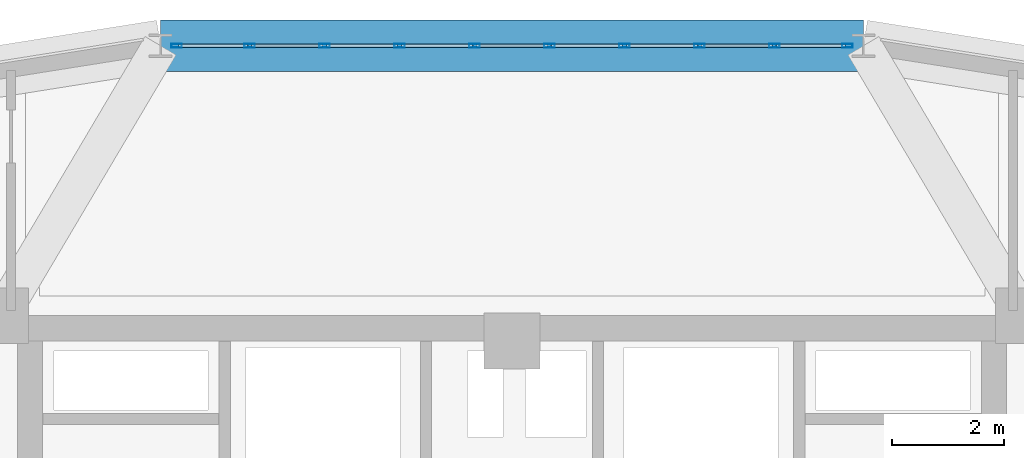
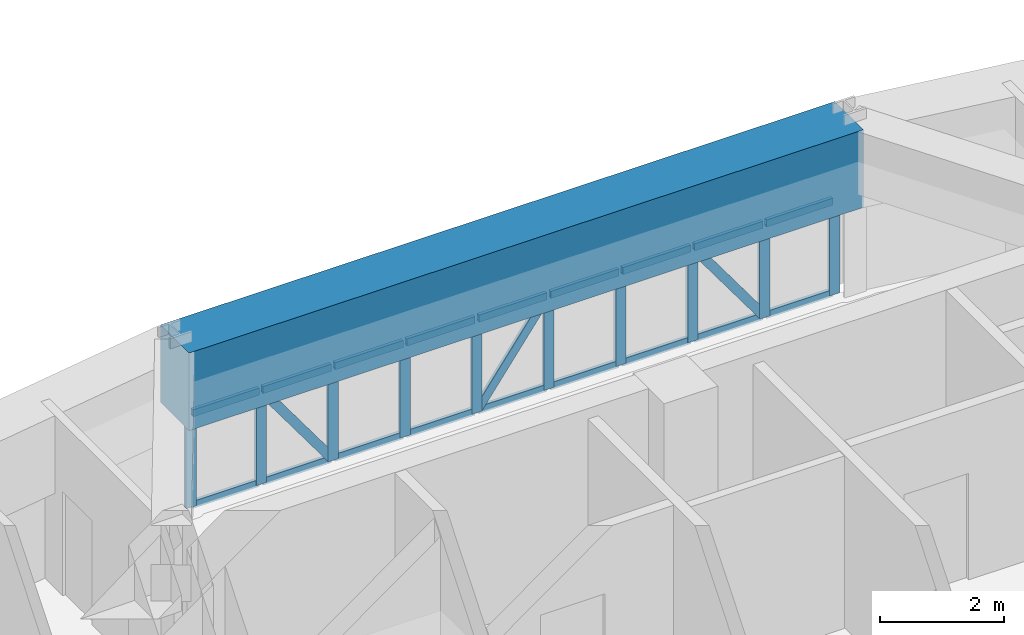
# One storey, part 8 of 13: 31 members, 1 beam, 1 element without a shape of its own.
"""IFC4 building model written with IfcOpenShell, lengths in metres."""

from ifc_helpers import new_model, si_unit, derived_unit, direction, frame, origin, origin_2d, place, context, subcontext, project, spatial, rectangle, hollow_rectangle, extrude, source, transform, mapped, material, layer, layer_set, material_profile, profile_set, type_object, element, aggregate, save


model = new_model("IFC4")

# Units and contexts
model_context = context("Model", 3, precision=1e-05, world=origin(), true_north=direction((0.0, 1.0)))
body_context = subcontext(model_context, "Body", "Model", "MODEL_VIEW")
ifc_project = project(units=[si_unit("LENGTHUNIT", "METRE"), si_unit("AREAUNIT", "SQUARE_METRE"), si_unit("VOLUMEUNIT", "CUBIC_METRE"), si_unit("PLANEANGLEUNIT", "RADIAN"), si_unit("MASSUNIT", "GRAM", prefix="KILO"), derived_unit("THERMALTRANSMITTANCEUNIT", [(si_unit("POWERUNIT", "WATT"), 1), (si_unit("LENGTHUNIT", "METRE"), -2), (si_unit("THERMODYNAMICTEMPERATUREUNIT", "KELVIN"), -1)])], contexts=[model_context])

# Site, building, storey
site_placement = place(None, origin())
site = spatial("IfcSite", under=ifc_project, at=site_placement, CompositionType="ELEMENT")
building_placement = place(site_placement, origin())
building = spatial("IfcBuilding", under=site, at=building_placement, Name="Korsvarv Bourse and Concert Hall", CompositionType="ELEMENT")
storey_placement = place(building_placement, frame((0.0, 0.0, 183.0)))
storey = spatial("IfcBuildingStorey", under=building, at=storey_placement, Name="L47", CompositionType="ELEMENT", Elevation=183.0)

# Beam
ifc_material_1 = material(Name="Concrete C50/60", Category="concrete")
ifc_material_profile_1 = material_profile(ifc_material_1, rectangle(XDim=0.919921875, YDim=1.530029296875, at=origin_2d()), Name="RC-BM 920x1530")
ifc_profile_set_1 = profile_set([ifc_material_profile_1], Name="Concrete C50/60")
beam_type = type_object("IfcBeamType", Name="BM-TR-154", PredefinedType="BEAM", material=ifc_profile_set_1)
shared_shape_1 = source(origin(), body_context, "Body", "SweptSolid", [
    extrude(rectangle(XDim=0.919921875, YDim=1.530029296875, at=origin_2d()), origin(), (0.0, 0.0, 1.0), 12.57861328125),
])
beam_placement = place(storey_placement, frame((42.289306640625, 52.082275390625, 2.635009765625), z_axis=(-1.0, 0.0, 0.0), x_axis=(0.0, -1.0, 0.0)))
element("IfcBeam", 1, at=beam_placement, inside=storey, type_object=beam_type, Name="L47 beam B-TR6", PredefinedType="BEAM", context=body_context, shape_type="MappedRepresentation", body=[
    mapped(shared_shape_1, transform((0.0, 0.0, 0.0), scale=1.0)),
])

# Curtain wall, members
ifc_material_2 = material(Name="Anodised aluminium and triple low-E glazing", Category="glass")
ifc_layer = layer(ifc_material_2, 0.199951171875)
ifc_layer_set = layer_set([ifc_layer], Name="Anodised aluminium and triple low-E glazing")
curtain_wall_type = type_object("IfcCurtainWallType", Name="CW-SYS-3", PredefinedType="NOTDEFINED", material=ifc_layer_set)
curtain_wall_placement = place(storey_placement, origin())
curtain_wall = element("IfcCurtainWall", 2, at=curtain_wall_placement, inside=storey, type_object=curtain_wall_type, Name="L47 CW3 curtain wall CW-L47-F03", PredefinedType="NOTDEFINED")
ifc_material_3 = material(Name="Extruded aluminium EN AW-6063 T66", Category="aluminium")
ifc_material_profile_2 = material_profile(ifc_material_3, hollow_rectangle(XDim=0.070068359375, YDim=0.18994140625, WallThickness=0.0048828125, at=origin_2d()), Name="ALU-M 70x190")
ifc_profile_set_2 = profile_set([ifc_material_profile_2], Name="Extruded aluminium EN AW-6063 T66")
member_type_1 = type_object("IfcMemberType", Name="CWM-190", PredefinedType="MULLION", material=ifc_profile_set_2)
shared_shape_2 = source(origin(), body_context, "Body", "SweptSolid", [
    extrude(hollow_rectangle(XDim=0.070068359375, YDim=0.18994140625, WallThickness=0.0048828125, at=origin_2d()), origin(), (0.0, 0.0, 1.0), 1.8701171875),
])
member_1_placement = place(storey_placement, frame((42.001220703125, 52.082275390625, 0.0), z_axis=(0.0, 0.0, 1.0), x_axis=(0.0, -1.0, 0.0)))
member_1 = element("IfcMember", 3, at=member_1_placement, type_object=member_type_1, Name="CW3 mullion 1", PredefinedType="MULLION", context=body_context, shape_type="MappedRepresentation", body=[
    mapped(shared_shape_2, transform((0.0, 0.0, 0.0), scale=1.0)),
])
member_2_placement = place(storey_placement, frame((40.69482421875, 52.082275390625, 0.0), z_axis=(0.0, 0.0, 1.0), x_axis=(0.0, -1.0, 0.0)))
member_2 = element("IfcMember", 4, at=member_2_placement, type_object=member_type_1, Name="CW3 mullion 2", PredefinedType="MULLION", context=body_context, shape_type="MappedRepresentation", body=[
    mapped(shared_shape_2, transform((0.0, 0.0, 0.0), scale=1.0)),
])
member_3_placement = place(storey_placement, frame((39.353515625, 52.082275390625, 0.0), z_axis=(0.0, 0.0, 1.0), x_axis=(0.0, -1.0, 0.0)))
member_3 = element("IfcMember", 5, at=member_3_placement, type_object=member_type_1, Name="CW3 mullion 3", PredefinedType="MULLION", context=body_context, shape_type="MappedRepresentation", body=[
    mapped(shared_shape_2, transform((0.0, 0.0, 0.0), scale=1.0)),
])
member_4_placement = place(storey_placement, frame((38.01220703125, 52.082275390625, 0.0), z_axis=(0.0, 0.0, 1.0), x_axis=(0.0, -1.0, 0.0)))
member_4 = element("IfcMember", 6, at=member_4_placement, type_object=member_type_1, Name="CW3 mullion 4", PredefinedType="MULLION", context=body_context, shape_type="MappedRepresentation", body=[
    mapped(shared_shape_2, transform((0.0, 0.0, 0.0), scale=1.0)),
])
member_5_placement = place(storey_placement, frame((36.670654296875, 52.082275390625, 0.0), z_axis=(0.0, 0.0, 1.0), x_axis=(0.0, -1.0, 0.0)))
member_5 = element("IfcMember", 7, at=member_5_placement, type_object=member_type_1, Name="CW3 mullion 5", PredefinedType="MULLION", context=body_context, shape_type="MappedRepresentation", body=[
    mapped(shared_shape_2, transform((0.0, 0.0, 0.0), scale=1.0)),
])
member_6_placement = place(storey_placement, frame((35.329345703125, 52.082275390625, 0.0), z_axis=(0.0, 0.0, 1.0), x_axis=(0.0, -1.0, 0.0)))
member_6 = element("IfcMember", 8, at=member_6_placement, type_object=member_type_1, Name="CW3 mullion 6", PredefinedType="MULLION", context=body_context, shape_type="MappedRepresentation", body=[
    mapped(shared_shape_2, transform((0.0, 0.0, 0.0), scale=1.0)),
])
member_7_placement = place(storey_placement, frame((33.98779296875, 52.082275390625, 0.0), z_axis=(0.0, 0.0, 1.0), x_axis=(0.0, -1.0, 0.0)))
member_7 = element("IfcMember", 9, at=member_7_placement, type_object=member_type_1, Name="CW3 mullion 7", PredefinedType="MULLION", context=body_context, shape_type="MappedRepresentation", body=[
    mapped(shared_shape_2, transform((0.0, 0.0, 0.0), scale=1.0)),
])
member_8_placement = place(storey_placement, frame((32.646484375, 52.082275390625, 0.0), z_axis=(0.0, 0.0, 1.0), x_axis=(0.0, -1.0, 0.0)))
member_8 = element("IfcMember", 10, at=member_8_placement, type_object=member_type_1, Name="CW3 mullion 8", PredefinedType="MULLION", context=body_context, shape_type="MappedRepresentation", body=[
    mapped(shared_shape_2, transform((0.0, 0.0, 0.0), scale=1.0)),
])
member_9_placement = place(storey_placement, frame((31.30517578125, 52.082275390625, 0.0), z_axis=(0.0, 0.0, 1.0), x_axis=(0.0, -1.0, 0.0)))
member_9 = element("IfcMember", 11, at=member_9_placement, type_object=member_type_1, Name="CW3 mullion 9", PredefinedType="MULLION", context=body_context, shape_type="MappedRepresentation", body=[
    mapped(shared_shape_2, transform((0.0, 0.0, 0.0), scale=1.0)),
])
member_10_placement = place(storey_placement, frame((29.998779296875, 52.082275390625, 0.0), z_axis=(0.0, 0.0, 1.0), x_axis=(0.0, -1.0, 0.0)))
member_10 = element("IfcMember", 12, at=member_10_placement, type_object=member_type_1, Name="CW3 mullion 10", PredefinedType="MULLION", context=body_context, shape_type="MappedRepresentation", body=[
    mapped(shared_shape_2, transform((0.0, 0.0, 0.0), scale=1.0)),
])
ifc_material_profile_3 = material_profile(ifc_material_3, hollow_rectangle(XDim=0.06494140625, YDim=0.139892578125, WallThickness=0.00390625, at=origin_2d()), Name="ALU-T 65x140")
ifc_profile_set_3 = profile_set([ifc_material_profile_3], Name="Extruded aluminium EN AW-6063 T66")
member_type_2 = type_object("IfcMemberType", Name="CWT-140", PredefinedType="USERDEFINED", material=ifc_profile_set_3)
shared_shape_3 = source(origin(), body_context, "Body", "SweptSolid", [
    extrude(hollow_rectangle(XDim=0.06494140625, YDim=0.139892578125, WallThickness=0.00390625, at=origin_2d()), origin(), (0.0, 0.0, 1.0), 1.236328125),
])
member_11_placement = place(storey_placement, frame((41.96630859375, 52.082275390625, 0.032470703125), z_axis=(-1.0, 0.0, 0.0), x_axis=(0.0, -1.0, 0.0)))
member_11 = element("IfcMember", 13, at=member_11_placement, type_object=member_type_2, Name="CW3 transom 1.1", ObjectType="TRANSOM", PredefinedType="USERDEFINED", context=body_context, shape_type="MappedRepresentation", body=[
    mapped(shared_shape_3, transform((0.0, 0.0, 0.0), scale=1.0)),
])
member_12_placement = place(storey_placement, frame((41.96630859375, 52.082275390625, 1.83740234375), z_axis=(-1.0, 0.0, 0.0), x_axis=(0.0, -1.0, 0.0)))
member_12 = element("IfcMember", 14, at=member_12_placement, type_object=member_type_2, Name="CW3 transom 1.2", ObjectType="TRANSOM", PredefinedType="USERDEFINED", context=body_context, shape_type="MappedRepresentation", body=[
    mapped(shared_shape_3, transform((0.0, 0.0, 0.0), scale=1.0)),
])
member_13_placement = place(storey_placement, frame((31.27001953125, 52.082275390625, 0.032470703125), z_axis=(-1.0, 0.0, 0.0), x_axis=(0.0, -1.0, 0.0)))
member_13 = element("IfcMember", 15, at=member_13_placement, type_object=member_type_2, Name="CW3 transom 9.1", ObjectType="TRANSOM", PredefinedType="USERDEFINED", context=body_context, shape_type="MappedRepresentation", body=[
    mapped(shared_shape_3, transform((0.0, 0.0, 0.0), scale=1.0)),
])
member_14_placement = place(storey_placement, frame((31.27001953125, 52.082275390625, 1.83740234375), z_axis=(-1.0, 0.0, 0.0), x_axis=(0.0, -1.0, 0.0)))
member_14 = element("IfcMember", 16, at=member_14_placement, type_object=member_type_2, Name="CW3 transom 9.2", ObjectType="TRANSOM", PredefinedType="USERDEFINED", context=body_context, shape_type="MappedRepresentation", body=[
    mapped(shared_shape_3, transform((0.0, 0.0, 0.0), scale=1.0)),
])
shared_shape_4 = source(origin(), body_context, "Body", "SweptSolid", [
    extrude(hollow_rectangle(XDim=0.06494140625, YDim=0.139892578125, WallThickness=0.00390625, at=origin_2d()), origin(), (0.0, 0.0, 1.0), 1.271484375),
])
member_15_placement = place(storey_placement, frame((40.659912109375, 52.082275390625, 0.032470703125), z_axis=(-1.0, 0.0, 0.0), x_axis=(0.0, -1.0, 0.0)))
member_15 = element("IfcMember", 17, at=member_15_placement, type_object=member_type_2, Name="CW3 transom 2.1", ObjectType="TRANSOM", PredefinedType="USERDEFINED", context=body_context, shape_type="MappedRepresentation", body=[
    mapped(shared_shape_4, transform((0.0, 0.0, 0.0), scale=1.0)),
])
member_16_placement = place(storey_placement, frame((40.659912109375, 52.082275390625, 1.83740234375), z_axis=(-1.0, 0.0, 0.0), x_axis=(0.0, -1.0, 0.0)))
member_16 = element("IfcMember", 18, at=member_16_placement, type_object=member_type_2, Name="CW3 transom 2.2", ObjectType="TRANSOM", PredefinedType="USERDEFINED", context=body_context, shape_type="MappedRepresentation", body=[
    mapped(shared_shape_4, transform((0.0, 0.0, 0.0), scale=1.0)),
])
member_17_placement = place(storey_placement, frame((39.318603515625, 52.082275390625, 0.032470703125), z_axis=(-1.0, 0.0, 0.0), x_axis=(0.0, -1.0, 0.0)))
member_17 = element("IfcMember", 19, at=member_17_placement, type_object=member_type_2, Name="CW3 transom 3.1", ObjectType="TRANSOM", PredefinedType="USERDEFINED", context=body_context, shape_type="MappedRepresentation", body=[
    mapped(shared_shape_4, transform((0.0, 0.0, 0.0), scale=1.0)),
])
member_18_placement = place(storey_placement, frame((39.318603515625, 52.082275390625, 1.83740234375), z_axis=(-1.0, 0.0, 0.0), x_axis=(0.0, -1.0, 0.0)))
member_18 = element("IfcMember", 20, at=member_18_placement, type_object=member_type_2, Name="CW3 transom 3.2", ObjectType="TRANSOM", PredefinedType="USERDEFINED", context=body_context, shape_type="MappedRepresentation", body=[
    mapped(shared_shape_4, transform((0.0, 0.0, 0.0), scale=1.0)),
])
member_19_placement = place(storey_placement, frame((36.6357421875, 52.082275390625, 0.032470703125), z_axis=(-1.0, 0.0, 0.0), x_axis=(0.0, -1.0, 0.0)))
member_19 = element("IfcMember", 21, at=member_19_placement, type_object=member_type_2, Name="CW3 transom 5.1", ObjectType="TRANSOM", PredefinedType="USERDEFINED", context=body_context, shape_type="MappedRepresentation", body=[
    mapped(shared_shape_4, transform((0.0, 0.0, 0.0), scale=1.0)),
])
member_20_placement = place(storey_placement, frame((36.6357421875, 52.082275390625, 1.83740234375), z_axis=(-1.0, 0.0, 0.0), x_axis=(0.0, -1.0, 0.0)))
member_20 = element("IfcMember", 22, at=member_20_placement, type_object=member_type_2, Name="CW3 transom 5.2", ObjectType="TRANSOM", PredefinedType="USERDEFINED", context=body_context, shape_type="MappedRepresentation", body=[
    mapped(shared_shape_4, transform((0.0, 0.0, 0.0), scale=1.0)),
])
member_21_placement = place(storey_placement, frame((33.952880859375, 52.082275390625, 0.032470703125), z_axis=(-1.0, 0.0, 0.0), x_axis=(0.0, -1.0, 0.0)))
member_21 = element("IfcMember", 23, at=member_21_placement, type_object=member_type_2, Name="CW3 transom 7.1", ObjectType="TRANSOM", PredefinedType="USERDEFINED", context=body_context, shape_type="MappedRepresentation", body=[
    mapped(shared_shape_4, transform((0.0, 0.0, 0.0), scale=1.0)),
])
member_22_placement = place(storey_placement, frame((33.952880859375, 52.082275390625, 1.83740234375), z_axis=(-1.0, 0.0, 0.0), x_axis=(0.0, -1.0, 0.0)))
member_22 = element("IfcMember", 24, at=member_22_placement, type_object=member_type_2, Name="CW3 transom 7.2", ObjectType="TRANSOM", PredefinedType="USERDEFINED", context=body_context, shape_type="MappedRepresentation", body=[
    mapped(shared_shape_4, transform((0.0, 0.0, 0.0), scale=1.0)),
])
member_23_placement = place(storey_placement, frame((32.611572265625, 52.082275390625, 0.032470703125), z_axis=(-1.0, 0.0, 0.0), x_axis=(0.0, -1.0, 0.0)))
member_23 = element("IfcMember", 25, at=member_23_placement, type_object=member_type_2, Name="CW3 transom 8.1", ObjectType="TRANSOM", PredefinedType="USERDEFINED", context=body_context, shape_type="MappedRepresentation", body=[
    mapped(shared_shape_4, transform((0.0, 0.0, 0.0), scale=1.0)),
])
member_24_placement = place(storey_placement, frame((32.611572265625, 52.082275390625, 1.83740234375), z_axis=(-1.0, 0.0, 0.0), x_axis=(0.0, -1.0, 0.0)))
member_24 = element("IfcMember", 26, at=member_24_placement, type_object=member_type_2, Name="CW3 transom 8.2", ObjectType="TRANSOM", PredefinedType="USERDEFINED", context=body_context, shape_type="MappedRepresentation", body=[
    mapped(shared_shape_4, transform((0.0, 0.0, 0.0), scale=1.0)),
])
ifc_material_profile_4 = material_profile(ifc_material_3, hollow_rectangle(XDim=0.06494140625, YDim=0.1650390625, WallThickness=0.0048828125, at=origin_2d()), Name="ALU-M 65x165")
ifc_profile_set_4 = profile_set([ifc_material_profile_4], Name="Extruded aluminium EN AW-6063 T66")
member_type_3 = type_object("IfcMemberType", Name="CWM-165", PredefinedType="MULLION", material=ifc_profile_set_4)
shared_shape_5 = source(origin(), body_context, "Body", "SweptSolid", [
    extrude(hollow_rectangle(XDim=0.06494140625, YDim=0.1650390625, WallThickness=0.0048828125, at=origin_2d()), origin(), (0.0, 0.0, 1.0), 2.155029296875),
])
member_25_placement = place(storey_placement, frame((40.659912109375, 52.082275390625, 0.06494140625), z_axis=(-0.59000238732, 0.0, 0.807401500467), x_axis=(0.0, -1.0, 0.0)))
member_25 = element("IfcMember", 27, at=member_25_placement, type_object=member_type_3, Name="CW3 diagonal mullion 2", PredefinedType="MULLION", context=body_context, shape_type="MappedRepresentation", body=[
    mapped(shared_shape_5, transform((0.0, 0.0, 0.0), scale=1.0)),
])
member_26_placement = place(storey_placement, frame((35.3642578125, 52.082275390625, 0.06494140625), z_axis=(0.59000238732, 0.0, 0.807401500467), x_axis=(0.0, 1.0, 0.0)))
member_26 = element("IfcMember", 28, at=member_26_placement, type_object=member_type_3, Name="CW3 diagonal mullion 5", PredefinedType="MULLION", context=body_context, shape_type="MappedRepresentation", body=[
    mapped(shared_shape_5, transform((0.0, 0.0, 0.0), scale=1.0)),
])
member_27_placement = place(storey_placement, frame((32.611572265625, 52.082275390625, 0.06494140625), z_axis=(-0.59000238732, 0.0, 0.807401500467), x_axis=(0.0, -1.0, 0.0)))
member_27 = element("IfcMember", 29, at=member_27_placement, type_object=member_type_3, Name="CW3 diagonal mullion 8", PredefinedType="MULLION", context=body_context, shape_type="MappedRepresentation", body=[
    mapped(shared_shape_5, transform((0.0, 0.0, 0.0), scale=1.0)),
])
shared_shape_6 = source(origin(), body_context, "Body", "SweptSolid", [
    extrude(hollow_rectangle(XDim=0.06494140625, YDim=0.139892578125, WallThickness=0.00390625, at=origin_2d()), origin(), (0.0, 0.0, 1.0), 1.271240234375),
])
member_28_placement = place(storey_placement, frame((37.97705078125, 52.082275390625, 0.032470703125), z_axis=(-1.0, 0.0, 0.0), x_axis=(0.0, -1.0, 0.0)))
member_28 = element("IfcMember", 30, at=member_28_placement, type_object=member_type_2, Name="CW3 transom 4.1", ObjectType="TRANSOM", PredefinedType="USERDEFINED", context=body_context, shape_type="MappedRepresentation", body=[
    mapped(shared_shape_6, transform((0.0, 0.0, 0.0), scale=1.0)),
])
member_29_placement = place(storey_placement, frame((37.97705078125, 52.082275390625, 1.83740234375), z_axis=(-1.0, 0.0, 0.0), x_axis=(0.0, -1.0, 0.0)))
member_29 = element("IfcMember", 31, at=member_29_placement, type_object=member_type_2, Name="CW3 transom 4.2", ObjectType="TRANSOM", PredefinedType="USERDEFINED", context=body_context, shape_type="MappedRepresentation", body=[
    mapped(shared_shape_6, transform((0.0, 0.0, 0.0), scale=1.0)),
])
member_30_placement = place(storey_placement, frame((35.294189453125, 52.082275390625, 0.032470703125), z_axis=(-1.0, 0.0, 0.0), x_axis=(0.0, -1.0, 0.0)))
member_30 = element("IfcMember", 32, at=member_30_placement, type_object=member_type_2, Name="CW3 transom 6.1", ObjectType="TRANSOM", PredefinedType="USERDEFINED", context=body_context, shape_type="MappedRepresentation", body=[
    mapped(shared_shape_6, transform((0.0, 0.0, 0.0), scale=1.0)),
])
member_31_placement = place(storey_placement, frame((35.294189453125, 52.082275390625, 1.83740234375), z_axis=(-1.0, 0.0, 0.0), x_axis=(0.0, -1.0, 0.0)))
member_31 = element("IfcMember", 33, at=member_31_placement, type_object=member_type_2, Name="CW3 transom 6.2", ObjectType="TRANSOM", PredefinedType="USERDEFINED", context=body_context, shape_type="MappedRepresentation", body=[
    mapped(shared_shape_6, transform((0.0, 0.0, 0.0), scale=1.0)),
])
aggregate(curtain_wall, [member_1, member_2, member_3, member_4, member_5, member_6, member_7, member_8, member_9, member_10, member_11, member_12, member_15, member_16, member_25, member_17, member_18, member_28, member_29, member_19, member_20, member_26, member_30, member_31, member_21, member_22, member_23, member_24, member_27, member_13, member_14])

save(model, "model.ifc")
